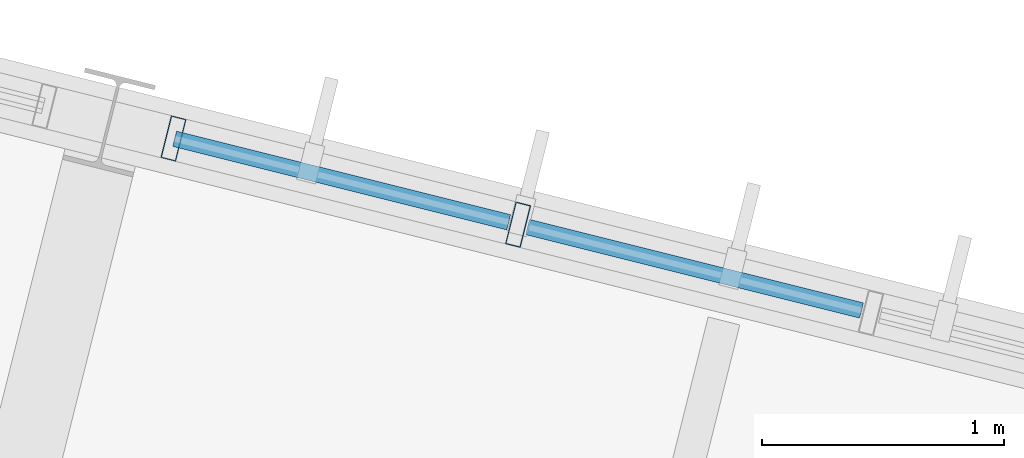
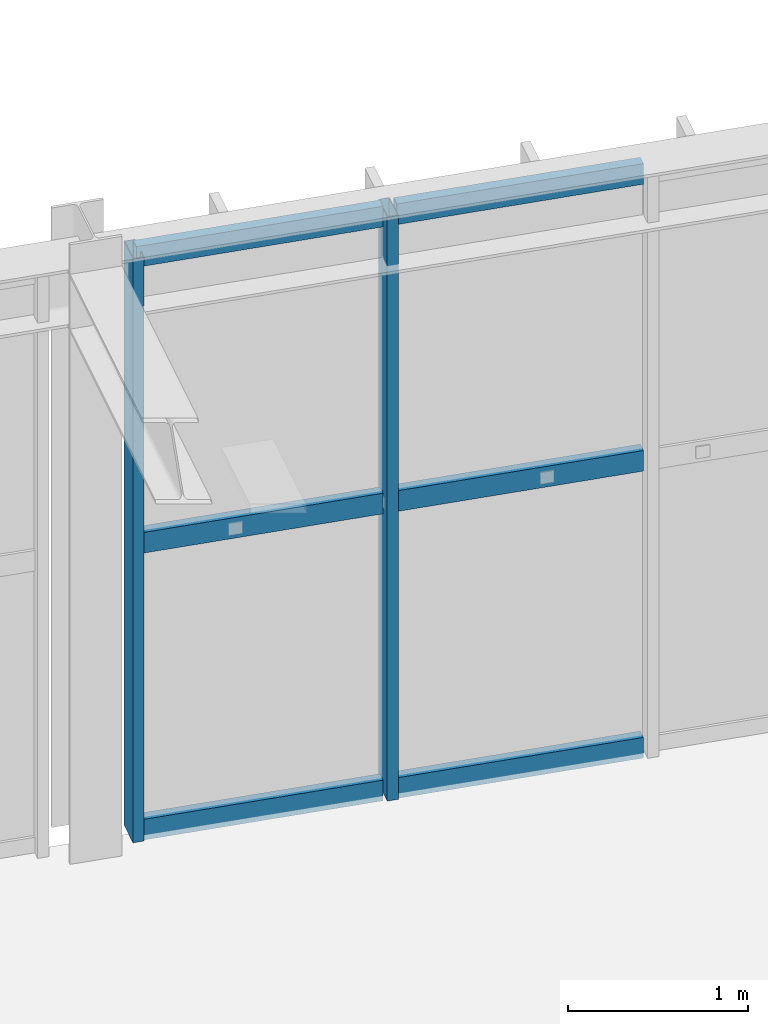
# One storey, part 12 of 30: 8 members, 1 element without a shape of its own.
"""IFC4 building model written with IfcOpenShell, lengths in metres."""

import ifcopenshell
import ifcopenshell.guid

model = None  # the IFC model being written
_history = None  # IfcOwnerHistory: only IFC2X3 demands one
_inside = {}  # id of a spatial element -> (the spatial element, [elements in it])
_under = {}  # id of a project, library or spatial element -> (it, [spatial elements below it])
_declared = {}  # id of a project -> (the project, [libraries it declares])
_typed = {}  # id of a type object -> (the type object, [elements of that type])
_made_of = {}  # id of a material, layer set ... -> (it, [elements and type objects made of it])


def new_model(schema):
    """Start an empty IFC model of exactly this schema.

    Asked for "IFC4X3", IfcOpenShell would pick the latest addendum, in which some entities
    have other attributes; the version numbers below select the first issue.
    IFC2X3 requires an IfcOwnerHistory on every rooted entity: one is made here for all.
    """
    global model, _history
    if schema == "IFC4X3":
        model = ifcopenshell.file(schema_version=(4, 3, 0, 0))
    else:
        model = ifcopenshell.file(schema=schema)
    _inside.clear()
    _under.clear()
    _declared.clear()
    _typed.clear()
    _made_of.clear()
    _history = None
    if model.schema == "IFC2X3":
        org = make("IfcOrganization", Name="unknown")
        user = make(
            "IfcPersonAndOrganization",
            ThePerson=make("IfcPerson", FamilyName="unknown"),
            TheOrganization=org,
        )
        app = make(
            "IfcApplication",
            ApplicationDeveloper=org,
            Version="unknown",
            ApplicationFullName="unknown",
            ApplicationIdentifier="unknown",
        )
        _history = make(
            "IfcOwnerHistory",
            OwningUser=user,
            OwningApplication=app,
            ChangeAction="ADDED",
            CreationDate=0,
        )
    return model


def make(cls, **values):
    """One entity of the class cls with the attributes given. An attribute that is None is left unset."""
    return model.create_entity(
        cls, **{name: value for name, value in values.items() if value is not None}
    )


def rooted(cls, **values):
    """An entity with a GlobalId (a new one), such as an element, a storey or a relation."""
    return make(cls, GlobalId=ifcopenshell.guid.new(), OwnerHistory=_history, **values)


def si_unit(unit_type, name, prefix=None):
    """IfcSIUnit, for example si_unit("LENGTHUNIT", "METRE", prefix="MILLI")."""
    return make("IfcSIUnit", UnitType=unit_type, Prefix=prefix, Name=name)


def derived_unit(unit_type, elements):
    """IfcDerivedUnit: a product of units, each with its exponent."""
    return make(
        "IfcDerivedUnit",
        Elements=[
            make("IfcDerivedUnitElement", Unit=unit, Exponent=power)
            for unit, power in elements
        ],
        UnitType=unit_type,
    )


def assignment(units):
    """IfcUnitAssignment: the units of a project."""
    return None if units is None else make("IfcUnitAssignment", Units=units)


def point(xyz):
    """IfcCartesianPoint."""
    return None if xyz is None else make("IfcCartesianPoint", Coordinates=xyz)


def direction(xyz):
    """IfcDirection."""
    return None if xyz is None else make("IfcDirection", DirectionRatios=xyz)


def frame(location, z_axis=None, x_axis=None):
    """IfcAxis2Placement3D, a coordinate frame: its origin and axes. An axis left out is left unset."""
    return make(
        "IfcAxis2Placement3D",
        Location=point(location),
        Axis=direction(z_axis),
        RefDirection=direction(x_axis),
    )


def frame_2d(location, x_axis=None):
    """IfcAxis2Placement2D, a coordinate frame in the plane: its origin and x axis."""
    return make(
        "IfcAxis2Placement2D", Location=point(location), RefDirection=direction(x_axis)
    )


def origin():
    """The frame at (0, 0, 0) with its axes left unset."""
    return frame((0.0, 0.0, 0.0))


def origin_2d():
    """The frame at (0, 0) in the plane with its x axis left unset."""
    return frame_2d((0.0, 0.0))


def place(relative_to, where):
    """IfcLocalPlacement: puts the frame where relative to a parent placement (None: the world)."""
    return make(
        "IfcLocalPlacement", PlacementRelTo=relative_to, RelativePlacement=where
    )


def context(
    kind, dimensions, precision=None, world=None, true_north=None, identifier=None
):
    """IfcGeometricRepresentationContext, for example the 3D "Model" context."""
    return make(
        "IfcGeometricRepresentationContext",
        ContextIdentifier=identifier,
        ContextType=kind,
        CoordinateSpaceDimension=dimensions,
        Precision=precision,
        WorldCoordinateSystem=world,
        TrueNorth=true_north,
    )


def subcontext(parent, identifier, kind, view, scale=None):
    """IfcGeometricRepresentationSubContext, for example "Body" below "Model"."""
    return make(
        "IfcGeometricRepresentationSubContext",
        ContextIdentifier=identifier,
        ContextType=kind,
        ParentContext=parent,
        TargetScale=scale,
        TargetView=view,
    )


def project(units=None, contexts=None):
    """IfcProject with its units and contexts."""
    return rooted(
        "IfcProject",
        Name="project",
        RepresentationContexts=contexts,
        UnitsInContext=assignment(units),
    )


def spatial(cls, under=None, at=None, **own):
    """A site, building, storey or space (cls), placed at a placement, below another one or the project."""
    s = rooted(cls, ObjectPlacement=at, **own)
    if under is not None:
        _under.setdefault(under.id(), (under, []))[1].append(s)
    return s


def profile(cls, at=None, kind="AREA", **sizes):
    """A parametric profile (cls). Its sizes go by their IFC names, for example OverallWidth=200.0."""
    return make(cls, ProfileType=kind, Position=at, **sizes)


def hollow_rectangle(**sizes):
    """IfcRectangleHollowProfileDef."""
    return profile("IfcRectangleHollowProfileDef", **sizes)


def extrude(swept, where, along, depth):
    """IfcExtrudedAreaSolid: the profile swept, set in the frame where, extruded along a direction by depth."""
    return make(
        "IfcExtrudedAreaSolid",
        SweptArea=swept,
        Position=where,
        ExtrudedDirection=direction(along),
        Depth=depth,
    )


def shape(context_of_items, identifier, shape_type, items):
    """IfcShapeRepresentation: the items that make up one representation, for example the "Body"."""
    return make(
        "IfcShapeRepresentation",
        ContextOfItems=context_of_items,
        RepresentationIdentifier=identifier,
        RepresentationType=shape_type,
        Items=items,
    )


def material(Name=None, Category=None):
    """IfcMaterial."""
    return make("IfcMaterial", Name=Name, Category=Category)


def material_profile(
    of_material, cross_section, Name=None, Category=None, Priority=None
):
    """IfcMaterialProfile: a cross section and its material."""
    return make(
        "IfcMaterialProfile",
        Name=Name,
        Material=of_material,
        Profile=cross_section,
        Priority=Priority,
        Category=Category,
    )


def profile_set(profiles, Name=None, composite=None):
    """IfcMaterialProfileSet."""
    return make(
        "IfcMaterialProfileSet",
        Name=Name,
        MaterialProfiles=profiles,
        CompositeProfile=composite,
    )


def made_of(thing, what):
    """Note that an element or type object is made of a material, layer set ...; save() writes the relation."""
    if what is not None:
        _made_of.setdefault(what.id(), (what, []))[1].append(thing)
    return thing


def type_object(cls, material=None, **own):
    """A type object (cls), such as IfcWallType, which elements share."""
    return made_of(rooted(cls, **own), material)


def element(
    cls,
    number,
    at=None,
    inside=None,
    cuts=None,
    type_object=None,
    material=None,
    context=None,
    identifier="Body",
    shape_type=None,
    held_by="IfcProductDefinitionShape",
    body=None,
    shapes=None,
    **own,
):
    """One element of the class cls, such as IfcWall. Its Tag is "e" and its number.

    at: its placement. inside: the storey or other place that contains it. cuts: it is an
    opening in that element (IfcRelVoidsElement). A single representation is given by context,
    identifier, shape_type and body (its items); several are given by shapes. held_by: the class
    of the entity that holds the representations. save() writes the other relations.
    """
    e = rooted(cls, Tag="e%d" % number, ObjectPlacement=at, **own)
    if body is not None:
        shapes = [shape(context, identifier, shape_type, body)]
    if shapes is not None:
        e.Representation = make(held_by, Representations=shapes)
    if inside is not None:
        _inside.setdefault(inside.id(), (inside, []))[1].append(e)
    if cuts is not None:
        rooted(
            "IfcRelVoidsElement", RelatingBuildingElement=cuts, RelatedOpeningElement=e
        )
    if type_object is not None:
        _typed.setdefault(type_object.id(), (type_object, []))[1].append(e)
    return made_of(e, material)


def aggregate(whole, parts):
    """IfcRelAggregates: a whole, such as a stair, and the parts it consists of."""
    return rooted("IfcRelAggregates", RelatingObject=whole, RelatedObjects=parts)


def save(model, path):
    """Write the relations noted so far, then the file.

    IfcRelAggregates (storeys below a building ...), IfcRelContainedInSpatialStructure (elements
    in a storey), IfcRelDefinesByType, IfcRelAssociatesMaterial and IfcRelDeclares: one each for
    every whole, place, type object, material and project.
    """
    for whole, parts in _under.values():
        aggregate(whole, parts)
    for where, things in _inside.values():
        rooted(
            "IfcRelContainedInSpatialStructure",
            RelatedElements=things,
            RelatingStructure=where,
        )
    for kind, things in _typed.values():
        rooted("IfcRelDefinesByType", RelatedObjects=things, RelatingType=kind)
    for what, things in _made_of.values():
        rooted("IfcRelAssociatesMaterial", RelatedObjects=things, RelatingMaterial=what)
    for by, libraries in _declared.values():
        rooted("IfcRelDeclares", RelatingContext=by, RelatedDefinitions=libraries)
    model.write(path)


model = new_model("IFC4")

# Units and contexts
model_context = context("Model", 3, precision=1e-05, world=origin(), true_north=direction((0.0, 1.0)))
body_context = subcontext(model_context, "Body", "Model", "MODEL_VIEW")
ifc_project = project(units=[si_unit("LENGTHUNIT", "METRE"), si_unit("AREAUNIT", "SQUARE_METRE"), si_unit("VOLUMEUNIT", "CUBIC_METRE"), si_unit("PLANEANGLEUNIT", "RADIAN"), si_unit("MASSUNIT", "GRAM", prefix="KILO"), si_unit("THERMODYNAMICTEMPERATUREUNIT", "KELVIN"), si_unit("TIMEUNIT", "SECOND"), derived_unit("THERMALTRANSMITTANCEUNIT", [(si_unit("MASSUNIT", "GRAM", prefix="KILO"), 1), (si_unit("THERMODYNAMICTEMPERATUREUNIT", "KELVIN"), -1), (si_unit("TIMEUNIT", "SECOND"), -3)])], contexts=[model_context])

# Site, building, storey
site_placement = place(None, origin())
site = spatial("IfcSite", under=ifc_project, at=site_placement, CompositionType="ELEMENT")
building_placement = place(site_placement, origin())
building = spatial("IfcBuilding", under=site, at=building_placement, Name="Cambertide Market Hall", CompositionType="ELEMENT")
storey_placement = place(building_placement, frame((0.0, 0.0, 14.10009765625)))
storey = spatial("IfcBuildingStorey", under=building, at=storey_placement, Name="L04", CompositionType="ELEMENT", Elevation=14.10009765625)

# Curtain wall, members
ifc_material_1 = material(Name="Marine Anodized Aluminium 6063-T6 AA25", Category="aluminium")
curtain_wall_type = type_object("IfcCurtainWallType", Name="Herb Conservatory Crown Curtain Wall", PredefinedType="USERDEFINED", material=ifc_material_1)
curtain_wall_placement = place(storey_placement, origin())
curtain_wall = element("IfcCurtainWall", 1, at=curtain_wall_placement, inside=storey, type_object=curtain_wall_type, Name="Level 4 Curtain Wall CW-V4N-L04-6", ObjectType="UNITIZED CURTAIN WALL", PredefinedType="USERDEFINED")
ifc_material_2 = material(Name="Champagne Marine Anodized Aluminium 6063-T6 AA25", Category="aluminium")
ifc_material_profile_1 = material_profile(ifc_material_2, hollow_rectangle(XDim=0.06494140625, YDim=0.179931640625, WallThickness=0.00390625, at=origin_2d()), Name="ALU MULLION 65x180")
ifc_profile_set_1 = profile_set([ifc_material_profile_1], Name="Champagne Marine Anodized Aluminium 6063-T6 AA25")
member_type_1 = type_object("IfcMemberType", Name="Curtain Wall Mullion ALU MULLION 65x180", PredefinedType="MULLION", material=ifc_profile_set_1)
member_1_placement = place(storey_placement, frame((153.620849609375, 116.42578125, 0.0), z_axis=(0.0, 0.0, 1.0), x_axis=(0.970142500145, -0.242535625038, 0.0)))
member_1 = element("IfcMember", 2, at=member_1_placement, type_object=member_type_1, Name="CW-V4N-L04-6 Mullion 1", PredefinedType="MULLION", context=body_context, shape_type="SweptSolid", body=[
    extrude(hollow_rectangle(XDim=0.06494140625, YDim=0.179931640625, WallThickness=0.00390625, at=origin_2d()), origin(), (0.0, 0.0, 1.0), 3.9599609375),
])
member_2_placement = place(storey_placement, frame((155.046142578125, 116.0693359375, 0.0), z_axis=(0.0, 0.0, 1.0), x_axis=(0.970142500145, -0.242535625038, 0.0)))
member_2 = element("IfcMember", 3, at=member_2_placement, type_object=member_type_1, Name="CW-V4N-L04-6 Mullion 2", PredefinedType="MULLION", context=body_context, shape_type="SweptSolid", body=[
    extrude(hollow_rectangle(XDim=0.06494140625, YDim=0.179931640625, WallThickness=0.00390625, at=origin_2d()), origin(), (0.0, 0.0, 1.0), 3.9599609375),
])
ifc_material_3 = material(Name="Champagne Marine Anodized Aluminium 6063-T6 AA25", Category="aluminium")
ifc_material_profile_2 = material_profile(ifc_material_3, hollow_rectangle(XDim=0.06494140625, YDim=0.139892578125, WallThickness=0.00341796875, at=origin_2d()), Name="ALU TRANSOM 65x140")
ifc_profile_set_2 = profile_set([ifc_material_profile_2], Name="Champagne Marine Anodized Aluminium 6063-T6 AA25")
member_type_2 = type_object("IfcMemberType", Name="Curtain Wall Transom ALU TRANSOM 65x140", PredefinedType="USERDEFINED", material=ifc_profile_set_2)
member_3_placement = place(storey_placement, frame((153.625732421875, 116.424560546875, 0.034912109375), z_axis=(0.970132415085, -0.242575961715, 0.0), x_axis=(0.242575961715, 0.970132415085, 0.0)))
member_3 = element("IfcMember", 4, at=member_3_placement, type_object=member_type_2, Name="CW-V4N-L04-6 Transom 1-1", ObjectType="TRANSOM", PredefinedType="USERDEFINED", context=body_context, shape_type="SweptSolid", body=[
    extrude(hollow_rectangle(XDim=0.06494140625, YDim=0.139892578125, WallThickness=0.00341796875, at=origin_2d()), origin(), (0.0, 0.0, 1.0), 1.424072265625),
])
member_4_placement = place(storey_placement, frame((155.0849609375, 116.059814453125, 0.034912109375), z_axis=(0.970122324991, -0.242616311393, 0.0), x_axis=(0.242616311393, 0.970122324991, 0.0)))
member_4 = element("IfcMember", 5, at=member_4_placement, type_object=member_type_2, Name="CW-V4N-L04-6 Transom 1-2", ObjectType="TRANSOM", PredefinedType="USERDEFINED", context=body_context, shape_type="SweptSolid", body=[
    extrude(hollow_rectangle(XDim=0.06494140625, YDim=0.139892578125, WallThickness=0.00341796875, at=origin_2d()), origin(), (0.0, 0.0, 1.0), 1.423828125),
])
member_5_placement = place(storey_placement, frame((153.625732421875, 116.424560546875, 1.97998046875), z_axis=(0.970132415085, -0.242575961715, 0.0), x_axis=(0.242575961715, 0.970132415085, 0.0)))
member_5 = element("IfcMember", 6, at=member_5_placement, type_object=member_type_2, Name="CW-V4N-L04-6 Transom 2-1", ObjectType="TRANSOM", PredefinedType="USERDEFINED", context=body_context, shape_type="SweptSolid", body=[
    extrude(hollow_rectangle(XDim=0.06494140625, YDim=0.139892578125, WallThickness=0.00341796875, at=origin_2d()), origin(), (0.0, 0.0, 1.0), 1.424072265625),
])
member_6_placement = place(storey_placement, frame((155.0849609375, 116.059814453125, 1.97998046875), z_axis=(0.970122324991, -0.242616311393, 0.0), x_axis=(0.242616311393, 0.970122324991, 0.0)))
member_6 = element("IfcMember", 7, at=member_6_placement, type_object=member_type_2, Name="CW-V4N-L04-6 Transom 2-2", ObjectType="TRANSOM", PredefinedType="USERDEFINED", context=body_context, shape_type="SweptSolid", body=[
    extrude(hollow_rectangle(XDim=0.06494140625, YDim=0.139892578125, WallThickness=0.00341796875, at=origin_2d()), origin(), (0.0, 0.0, 1.0), 1.423828125),
])
member_7_placement = place(storey_placement, frame((153.625732421875, 116.424560546875, 3.9248046875), z_axis=(0.970132415085, -0.242575961715, 0.0), x_axis=(0.242575961715, 0.970132415085, 0.0)))
member_7 = element("IfcMember", 8, at=member_7_placement, type_object=member_type_2, Name="CW-V4N-L04-6 Transom 3-1", ObjectType="TRANSOM", PredefinedType="USERDEFINED", context=body_context, shape_type="SweptSolid", body=[
    extrude(hollow_rectangle(XDim=0.06494140625, YDim=0.139892578125, WallThickness=0.00341796875, at=origin_2d()), origin(), (0.0, 0.0, 1.0), 1.424072265625),
])
member_8_placement = place(storey_placement, frame((155.0849609375, 116.059814453125, 3.9248046875), z_axis=(0.970122324991, -0.242616311393, 0.0), x_axis=(0.242616311393, 0.970122324991, 0.0)))
member_8 = element("IfcMember", 9, at=member_8_placement, type_object=member_type_2, Name="CW-V4N-L04-6 Transom 3-2", ObjectType="TRANSOM", PredefinedType="USERDEFINED", context=body_context, shape_type="SweptSolid", body=[
    extrude(hollow_rectangle(XDim=0.06494140625, YDim=0.139892578125, WallThickness=0.00341796875, at=origin_2d()), origin(), (0.0, 0.0, 1.0), 1.423828125),
])
aggregate(curtain_wall, [member_1, member_2, member_3, member_4, member_5, member_6, member_7, member_8])

save(model, "model.ifc")
